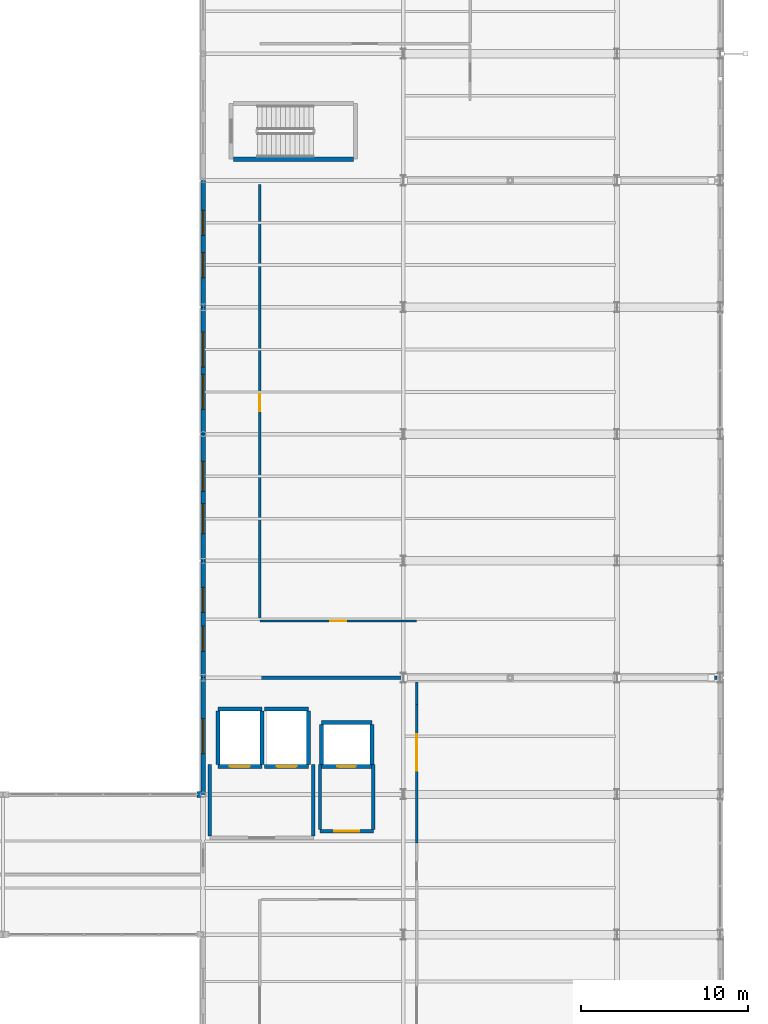
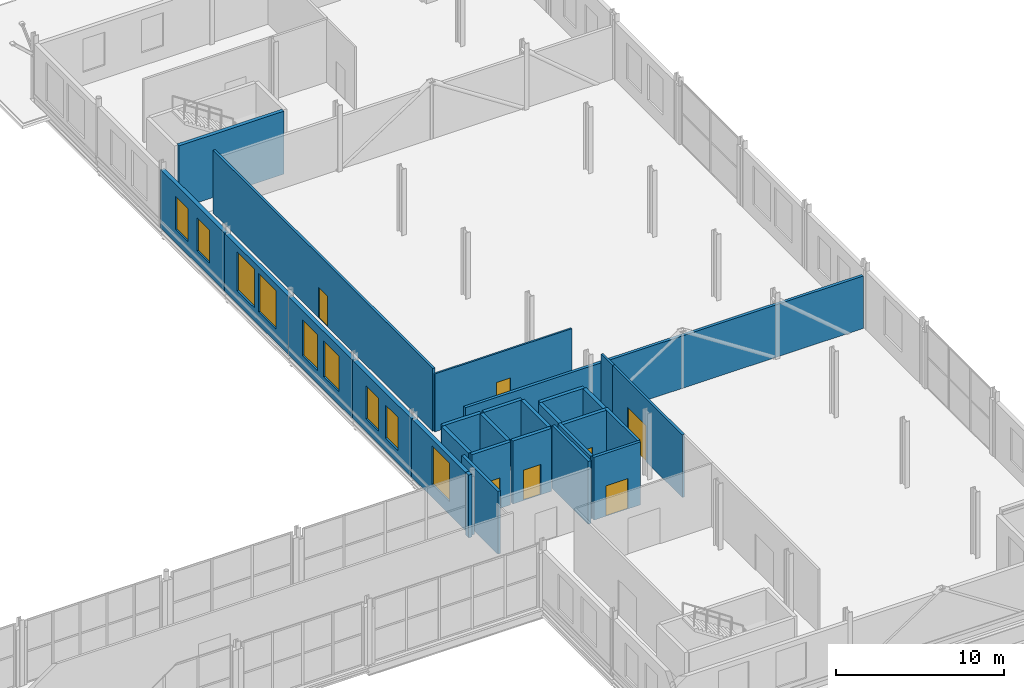
# One storey, part 101 of 120: 28 walls, 9 windows, 7 doors, 16 openings.
"""IFC4 building model written with IfcOpenShell, lengths in metres."""

from ifc_helpers import new_model, si_unit, direction, frame, frame_2d, origin, place, context, subcontext, project, spatial, rectangle, extrude, material, layer, layer_set, type_object, element, fill, save


model = new_model("IFC4")

# Units and contexts
model_context = context("Model", 3, precision=1e-05, world=origin(), true_north=direction((0.0, 1.0)))
body_context = subcontext(model_context, "Body", "Model", "MODEL_VIEW")
ifc_project = project(units=[si_unit("LENGTHUNIT", "METRE"), si_unit("AREAUNIT", "SQUARE_METRE"), si_unit("VOLUMEUNIT", "CUBIC_METRE"), si_unit("PLANEANGLEUNIT", "RADIAN"), si_unit("MASSUNIT", "GRAM", prefix="KILO")], contexts=[model_context])

# Site, building, storey
site_placement = place(None, origin())
site = spatial("IfcSite", under=ifc_project, at=site_placement, CompositionType="ELEMENT")
building_placement = place(site_placement, origin())
building = spatial("IfcBuilding", under=site, at=building_placement, Name="Vekula Escarpment Museum", CompositionType="ELEMENT")
storey_placement = place(building_placement, frame((0.0, 0.0, 13.199951171875)))
storey = spatial("IfcBuildingStorey", under=building, at=storey_placement, Name="L03", CompositionType="ELEMENT", Elevation=13.199951171875)

# Walls
ifc_material_1 = material(Name="Inkisi arkosic sandstone masonry", Category="masonry")
ifc_layer_1 = layer(ifc_material_1, 0.35009765625)
ifc_layer_set_1 = layer_set([ifc_layer_1], Name="Inkisi arkosic sandstone masonry")
wall_type_1 = type_object("IfcWallType", Name="WL-ALM-350", PredefinedType="SOLIDWALL", material=ifc_layer_set_1)
wall_1_placement = place(storey_placement, frame((166.85595703125, 76.39990234375, 0.0), z_axis=(0.0, 0.0, 1.0), x_axis=(-1.0, 0.0, 0.0)))
element("IfcWall", 1, at=wall_1_placement, inside=storey, type_object=wall_type_1, Name="Facade Jamb Pier L03-0621A", PredefinedType="SOLIDWALL", context=body_context, shape_type="SweptSolid", body=[
    extrude(rectangle(XDim=0.216064453125, YDim=0.35009765625, at=frame_2d((0.10791015625, 0.0))), origin(), (0.0, 0.0, 1.0), 4.56005859375),
])
ifc_material_2 = material(Name="Concrete C35/45", Category="concrete")
ifc_layer_2 = layer(ifc_material_2, 0.25)
ifc_layer_set_2 = layer_set([ifc_layer_2], Name="Concrete C35/45")
wall_type_2 = type_object("IfcWallType", Name="WL-CORE-250", PredefinedType="SHEAR", material=ifc_layer_set_2)
wall_2_placement = place(storey_placement, frame((168.803955078125, 114.47509765625, 0.0), z_axis=(0.0, 0.0, 1.0), x_axis=(1.0, 0.0, 0.0)))
element("IfcWall", 2, at=wall_2_placement, inside=storey, type_object=wall_type_2, Name="Stair Core Wall ST-05 L03 S", PredefinedType="SHEAR", context=body_context, shape_type="SweptSolid", body=[
    extrude(rectangle(XDim=7.192138671875, YDim=0.25, at=frame_2d((3.59619140625, 0.0))), origin(), (0.0, 0.0, 1.0), 4.56005859375),
])

# Wall, openings, windows
ifc_material_3 = material(Name="Inkisi arkosic sandstone masonry", Category="masonry")
ifc_layer_3 = layer(ifc_material_3, 0.280029296875)
ifc_layer_set_3 = layer_set([ifc_layer_3], Name="Inkisi arkosic sandstone masonry")
wall_type_3 = type_object("IfcWallType", Name="WL-CUM-280", PredefinedType="SOLIDWALL", material=ifc_layer_set_3)
wall_3_placement = place(storey_placement, frame((167.0, 105.60009765625, 0.0), z_axis=(0.0, 0.0, 1.0), x_axis=(0.0, 1.0, 0.0)))
wall_3 = element("IfcWall", 3, at=wall_3_placement, inside=storey, type_object=wall_type_3, Name="Exterior Wall WL-EXT-L03-0616", PredefinedType="SOLIDWALL", context=body_context, shape_type="SweptSolid", body=[
    extrude(rectangle(XDim=7.599853515625, YDim=0.280029296875, at=frame_2d((3.7998046875, 0.0))), origin(), (0.0, 0.0, 1.0), 4.215087890625),
])
opening_1_placement = place(wall_3_placement, frame((1.783203125, 0.0, 0.949951171875)))
opening_1 = element("IfcOpeningElement", 4, at=opening_1_placement, cuts=wall_3, Name="Opening WN-06", PredefinedType="OPENING", context=body_context, shape_type="SweptSolid", body=[
    extrude(rectangle(XDim=1.5, YDim=2.39990234375, at=frame_2d((0.75, 1.199951171875))), frame((0.0, 0.14990234375, 0.0), z_axis=(0.0, -1.0, 0.0), x_axis=(1.0, 0.0, 0.0)), (0.0, 0.0, 1.0), 0.300048828125),
])
opening_2_placement = place(wall_3_placement, frame((4.316650390625, 0.0, 0.949951171875)))
opening_2 = element("IfcOpeningElement", 5, at=opening_2_placement, cuts=wall_3, Name="Opening WN-06", PredefinedType="OPENING", context=body_context, shape_type="SweptSolid", body=[
    extrude(rectangle(XDim=1.5, YDim=2.39990234375, at=frame_2d((0.75, 1.199951171875))), frame((0.0, 0.14990234375, 0.0), z_axis=(0.0, -1.0, 0.0), x_axis=(1.0, 0.0, 0.0)), (0.0, 0.0, 1.0), 0.300048828125),
])
ifc_material_4 = material(Name="Double solar-control low-E glass", Category="glass")
window_type_1 = type_object("IfcWindowType", Name="WN-CUMBA-15x24", PartitioningType="SINGLE_PANEL", PredefinedType="WINDOW", material=ifc_material_4)
window_1_placement = place(opening_1_placement, origin())
window_1 = element("IfcWindow", 6, at=window_1_placement, inside=storey, type_object=window_type_1, Name="Window L03-0298", OverallHeight=2.39990234375, OverallWidth=1.5, PartitioningType="SINGLE_PANEL", PredefinedType="WINDOW", context=body_context, shape_type="SweptSolid", body=[
    extrude(rectangle(XDim=1.5, YDim=2.39990234375, at=frame_2d((0.75, 1.199951171875))), frame((0.0, 0.030029296875, 0.0), z_axis=(0.0, -1.0, 0.0), x_axis=(1.0, 0.0, 0.0)), (0.0, 0.0, 1.0), 0.06005859375),
])
fill(opening_1, window_1)
window_2_placement = place(opening_2_placement, origin())
window_2 = element("IfcWindow", 7, at=window_2_placement, inside=storey, type_object=window_type_1, Name="Window L03-0299", OverallHeight=2.39990234375, OverallWidth=1.5, PartitioningType="SINGLE_PANEL", PredefinedType="WINDOW", context=body_context, shape_type="SweptSolid", body=[
    extrude(rectangle(XDim=1.5, YDim=2.39990234375, at=frame_2d((0.75, 1.199951171875))), frame((0.0, 0.030029296875, 0.0), z_axis=(0.0, -1.0, 0.0), x_axis=(1.0, 0.0, 0.0)), (0.0, 0.0, 1.0), 0.06005859375),
])
fill(opening_2, window_2)

wall_4_placement = place(storey_placement, frame((167.0, 98.0, 0.0), z_axis=(0.0, 0.0, 1.0), x_axis=(0.0, 1.0, 0.0)))
wall_4 = element("IfcWall", 8, at=wall_4_placement, inside=storey, type_object=wall_type_3, Name="Exterior Wall WL-EXT-L03-0617", PredefinedType="SOLIDWALL", context=body_context, shape_type="SweptSolid", body=[
    extrude(rectangle(XDim=7.60009765625, YDim=0.280029296875, at=frame_2d((3.800048828125, 0.0))), origin(), (0.0, 0.0, 1.0), 4.215087890625),
])
opening_3_placement = place(wall_4_placement, frame((1.4833984375, 0.0, 0.949951171875)))
opening_3 = element("IfcOpeningElement", 9, at=opening_3_placement, cuts=wall_4, Name="Opening WN-08", PredefinedType="OPENING", context=body_context, shape_type="SweptSolid", body=[
    extrude(rectangle(XDim=2.10009765625, YDim=2.800048828125, at=frame_2d((1.050048828125, 1.39990234375))), frame((0.0, 0.14990234375, 0.0), z_axis=(0.0, -1.0, 0.0), x_axis=(1.0, 0.0, 0.0)), (0.0, 0.0, 1.0), 0.300048828125),
])
opening_4_placement = place(wall_4_placement, frame((4.0166015625, 0.0, 0.949951171875)))
opening_4 = element("IfcOpeningElement", 10, at=opening_4_placement, cuts=wall_4, Name="Opening WN-08", PredefinedType="OPENING", context=body_context, shape_type="SweptSolid", body=[
    extrude(rectangle(XDim=2.10009765625, YDim=2.800048828125, at=frame_2d((1.050048828125, 1.39990234375))), frame((0.0, 0.14990234375, 0.0), z_axis=(0.0, -1.0, 0.0), x_axis=(1.0, 0.0, 0.0)), (0.0, 0.0, 1.0), 0.300048828125),
])
ifc_material_5 = material(Name="Double solar-control low-E glass", Category="glass")
window_type_2 = type_object("IfcWindowType", Name="WN-CUMBA-21x28", PartitioningType="DOUBLE_PANEL_VERTICAL", PredefinedType="WINDOW", material=ifc_material_5)
window_3_placement = place(opening_3_placement, origin())
window_3 = element("IfcWindow", 11, at=window_3_placement, inside=storey, type_object=window_type_2, Name="Window L03-0300", OverallHeight=2.800048828125, OverallWidth=2.10009765625, PartitioningType="SINGLE_PANEL", PredefinedType="WINDOW", context=body_context, shape_type="SweptSolid", body=[
    extrude(rectangle(XDim=2.10009765625, YDim=2.800048828125, at=frame_2d((1.050048828125, 1.39990234375))), frame((0.0, 0.030029296875, 0.0), z_axis=(0.0, -1.0, 0.0), x_axis=(1.0, 0.0, 0.0)), (0.0, 0.0, 1.0), 0.06005859375),
])
fill(opening_3, window_3)
window_4_placement = place(opening_4_placement, origin())
window_4 = element("IfcWindow", 12, at=window_4_placement, inside=storey, type_object=window_type_2, Name="Window L03-0301", OverallHeight=2.800048828125, OverallWidth=2.10009765625, PartitioningType="SINGLE_PANEL", PredefinedType="WINDOW", context=body_context, shape_type="SweptSolid", body=[
    extrude(rectangle(XDim=2.10009765625, YDim=2.800048828125, at=frame_2d((1.050048828125, 1.39990234375))), frame((0.0, 0.030029296875, 0.0), z_axis=(0.0, -1.0, 0.0), x_axis=(1.0, 0.0, 0.0)), (0.0, 0.0, 1.0), 0.06005859375),
])
fill(opening_4, window_4)

wall_5_placement = place(storey_placement, frame((167.0, 90.39990234375, 0.0), z_axis=(0.0, 0.0, 1.0), x_axis=(0.0, 1.0, 0.0)))
wall_5 = element("IfcWall", 13, at=wall_5_placement, inside=storey, type_object=wall_type_3, Name="Exterior Wall WL-EXT-L03-0618", PredefinedType="SOLIDWALL", context=body_context, shape_type="SweptSolid", body=[
    extrude(rectangle(XDim=7.60009765625, YDim=0.280029296875, at=frame_2d((3.800048828125, 0.0))), origin(), (0.0, 0.0, 1.0), 4.215087890625),
])
opening_5_placement = place(wall_5_placement, frame((1.63330078125, 0.0, 0.949951171875)))
opening_5 = element("IfcOpeningElement", 14, at=opening_5_placement, cuts=wall_5, Name="Opening WN-07", PredefinedType="OPENING", context=body_context, shape_type="SweptSolid", body=[
    extrude(rectangle(XDim=1.800048828125, YDim=2.60009765625, at=frame_2d((0.89990234375, 1.300048828125))), frame((0.0, 0.14990234375, 0.0), z_axis=(0.0, -1.0, 0.0), x_axis=(1.0, 0.0, 0.0)), (0.0, 0.0, 1.0), 0.300048828125),
])
opening_6_placement = place(wall_5_placement, frame((4.166748046875, 0.0, 0.949951171875)))
opening_6 = element("IfcOpeningElement", 15, at=opening_6_placement, cuts=wall_5, Name="Opening WN-07", PredefinedType="OPENING", context=body_context, shape_type="SweptSolid", body=[
    extrude(rectangle(XDim=1.800048828125, YDim=2.60009765625, at=frame_2d((0.89990234375, 1.300048828125))), frame((0.0, 0.14990234375, 0.0), z_axis=(0.0, -1.0, 0.0), x_axis=(1.0, 0.0, 0.0)), (0.0, 0.0, 1.0), 0.300048828125),
])
ifc_material_6 = material(Name="Double solar-control low-E glass", Category="glass")
window_type_3 = type_object("IfcWindowType", Name="WN-CUMBA-18x26", PartitioningType="DOUBLE_PANEL_VERTICAL", PredefinedType="WINDOW", material=ifc_material_6)
window_5_placement = place(opening_5_placement, origin())
window_5 = element("IfcWindow", 16, at=window_5_placement, inside=storey, type_object=window_type_3, Name="Window L03-0302", OverallHeight=2.60009765625, OverallWidth=1.800048828125, PartitioningType="SINGLE_PANEL", PredefinedType="WINDOW", context=body_context, shape_type="SweptSolid", body=[
    extrude(rectangle(XDim=1.800048828125, YDim=2.60009765625, at=frame_2d((0.89990234375, 1.300048828125))), frame((0.0, 0.030029296875, 0.0), z_axis=(0.0, -1.0, 0.0), x_axis=(1.0, 0.0, 0.0)), (0.0, 0.0, 1.0), 0.06005859375),
])
fill(opening_5, window_5)
window_6_placement = place(opening_6_placement, origin())
window_6 = element("IfcWindow", 17, at=window_6_placement, inside=storey, type_object=window_type_3, Name="Window L03-0303", OverallHeight=2.60009765625, OverallWidth=1.800048828125, PartitioningType="SINGLE_PANEL", PredefinedType="WINDOW", context=body_context, shape_type="SweptSolid", body=[
    extrude(rectangle(XDim=1.800048828125, YDim=2.60009765625, at=frame_2d((0.89990234375, 1.300048828125))), frame((0.0, 0.030029296875, 0.0), z_axis=(0.0, -1.0, 0.0), x_axis=(1.0, 0.0, 0.0)), (0.0, 0.0, 1.0), 0.06005859375),
])
fill(opening_6, window_6)

wall_6_placement = place(storey_placement, frame((167.0, 83.39990234375, 0.0), z_axis=(0.0, 0.0, 1.0), x_axis=(0.0, 1.0, 0.0)))
wall_6 = element("IfcWall", 18, at=wall_6_placement, inside=storey, type_object=wall_type_3, Name="Exterior Wall WL-EXT-L03-0619", PredefinedType="SOLIDWALL", context=body_context, shape_type="SweptSolid", body=[
    extrude(rectangle(XDim=7.0, YDim=0.280029296875, at=frame_2d((3.5, 0.0))), origin(), (0.0, 0.0, 1.0), 4.215087890625),
])
opening_7_placement = place(wall_6_placement, frame((1.583251953125, 0.0, 0.949951171875)))
opening_7 = element("IfcOpeningElement", 19, at=opening_7_placement, cuts=wall_6, Name="Opening WN-06", PredefinedType="OPENING", context=body_context, shape_type="SweptSolid", body=[
    extrude(rectangle(XDim=1.5, YDim=2.39990234375, at=frame_2d((0.75, 1.199951171875))), frame((0.0, 0.14990234375, 0.0), z_axis=(0.0, -1.0, 0.0), x_axis=(1.0, 0.0, 0.0)), (0.0, 0.0, 1.0), 0.300048828125),
])
opening_8_placement = place(wall_6_placement, frame((3.916748046875, 0.0, 0.949951171875)))
opening_8 = element("IfcOpeningElement", 20, at=opening_8_placement, cuts=wall_6, Name="Opening WN-06", PredefinedType="OPENING", context=body_context, shape_type="SweptSolid", body=[
    extrude(rectangle(XDim=1.5, YDim=2.39990234375, at=frame_2d((0.75, 1.199951171875))), frame((0.0, 0.14990234375, 0.0), z_axis=(0.0, -1.0, 0.0), x_axis=(1.0, 0.0, 0.0)), (0.0, 0.0, 1.0), 0.300048828125),
])
window_7_placement = place(opening_7_placement, origin())
window_7 = element("IfcWindow", 21, at=window_7_placement, inside=storey, type_object=window_type_1, Name="Window L03-0304", OverallHeight=2.39990234375, OverallWidth=1.5, PartitioningType="SINGLE_PANEL", PredefinedType="WINDOW", context=body_context, shape_type="SweptSolid", body=[
    extrude(rectangle(XDim=1.5, YDim=2.39990234375, at=frame_2d((0.75, 1.199951171875))), frame((0.0, 0.030029296875, 0.0), z_axis=(0.0, -1.0, 0.0), x_axis=(1.0, 0.0, 0.0)), (0.0, 0.0, 1.0), 0.06005859375),
])
fill(opening_7, window_7)
window_8_placement = place(opening_8_placement, origin())
window_8 = element("IfcWindow", 22, at=window_8_placement, inside=storey, type_object=window_type_1, Name="Window L03-0305", OverallHeight=2.39990234375, OverallWidth=1.5, PartitioningType="SINGLE_PANEL", PredefinedType="WINDOW", context=body_context, shape_type="SweptSolid", body=[
    extrude(rectangle(XDim=1.5, YDim=2.39990234375, at=frame_2d((0.75, 1.199951171875))), frame((0.0, 0.030029296875, 0.0), z_axis=(0.0, -1.0, 0.0), x_axis=(1.0, 0.0, 0.0)), (0.0, 0.0, 1.0), 0.06005859375),
])
fill(opening_8, window_8)

# Wall, opening, window
wall_7_placement = place(storey_placement, frame((167.0, 76.39990234375, 0.0), z_axis=(0.0, 0.0, 1.0), x_axis=(0.0, 1.0, 0.0)))
wall_7 = element("IfcWall", 23, at=wall_7_placement, inside=storey, type_object=wall_type_3, Name="Exterior Wall WL-EXT-L03-0620", PredefinedType="SOLIDWALL", context=body_context, shape_type="SweptSolid", body=[
    extrude(rectangle(XDim=7.0, YDim=0.280029296875, at=frame_2d((3.5, 0.0))), origin(), (0.0, 0.0, 1.0), 4.215087890625),
])
opening_9_placement = place(wall_7_placement, frame((2.449951171875, 0.0, 0.949951171875)))
opening_9 = element("IfcOpeningElement", 24, at=opening_9_placement, cuts=wall_7, Name="Opening WN-08", PredefinedType="OPENING", context=body_context, shape_type="SweptSolid", body=[
    extrude(rectangle(XDim=2.10009765625, YDim=2.800048828125, at=frame_2d((1.050048828125, 1.39990234375))), frame((0.0, 0.14990234375, 0.0), z_axis=(0.0, -1.0, 0.0), x_axis=(1.0, 0.0, 0.0)), (0.0, 0.0, 1.0), 0.300048828125),
])
window_9_placement = place(opening_9_placement, origin())
window_9 = element("IfcWindow", 25, at=window_9_placement, inside=storey, type_object=window_type_2, Name="Window L03-0306", OverallHeight=2.800048828125, OverallWidth=2.10009765625, PartitioningType="SINGLE_PANEL", PredefinedType="WINDOW", context=body_context, shape_type="SweptSolid", body=[
    extrude(rectangle(XDim=2.10009765625, YDim=2.800048828125, at=frame_2d((1.050048828125, 1.39990234375))), frame((0.0, 0.030029296875, 0.0), z_axis=(0.0, -1.0, 0.0), x_axis=(1.0, 0.0, 0.0)), (0.0, 0.0, 1.0), 0.06005859375),
])
fill(opening_9, window_9)

# Walls
ifc_material_7 = material(Name="Concrete C35/45", Category="concrete")
ifc_layer_4 = layer(ifc_material_7, 0.199951171875)
ifc_layer_set_4 = layer_set([ifc_layer_4], Name="Concrete C35/45")
wall_type_4 = type_object("IfcWallType", Name="WL-FFL-200", PredefinedType="PARTITIONING", material=ifc_layer_set_4)
for number, where, z_axis, x_axis, name in (
    (26, (167.39990234375, 73.904052734375, 0.0), (0.0, 0.0, 1.0), (0.0, 1.0, 0.0), "Lift Lobby Wall LF-01 L03 W"),
    (27, (173.60009765625, 73.904052734375, 0.0), (0.0, 0.0, 1.0), (0.0, 1.0, 0.0), "Lift Lobby Wall LF-01 L03 E"),
):
    element("IfcWall", number, at=place(storey_placement, frame(where, z_axis=z_axis, x_axis=x_axis)), inside=storey, type_object=wall_type_4, Name=name, PredefinedType="PARTITIONING", context=body_context, shape_type="SweptSolid", body=[
        extrude(rectangle(XDim=4.2958984375, YDim=0.199951171875, at=frame_2d((2.14794921875, 0.0))), origin(), (0.0, 0.0, 1.0), 4.56005859375),
    ])

# Wall, opening, door
wall_8_placement = place(storey_placement, frame((174.0, 74.199951171875, 0.0), z_axis=(0.0, 0.0, 1.0), x_axis=(1.0, 0.0, 0.0)))
wall_8 = element("IfcWall", 28, at=wall_8_placement, inside=storey, type_object=wall_type_4, Name="Lift Lobby Wall LP-03 L03 S", PredefinedType="PARTITIONING", context=body_context, shape_type="SweptSolid", body=[
    extrude(rectangle(XDim=3.199951171875, YDim=0.199951171875, at=frame_2d((1.60009765625, 0.0))), origin(), (0.0, 0.0, 1.0), 4.56005859375),
])
opening_10_placement = place(wall_8_placement, frame((0.85009765625, 0.0, 0.0)))
opening_10 = element("IfcOpeningElement", 29, at=opening_10_placement, cuts=wall_8, Name="Opening DR-FD60L", PredefinedType="OPENING", context=body_context, shape_type="SweptSolid", body=[
    extrude(rectangle(XDim=1.5, YDim=2.199951171875, at=frame_2d((0.75, 1.10009765625))), frame((0.0, 0.10986328125, 0.0), z_axis=(0.0, -1.0, 0.0), x_axis=(1.0, 0.0, 0.0)), (0.0, 0.0, 1.0), 0.219970703125),
])
ifc_material_8 = material(Name="Fire-rated glazed lobby door", Category="steel")
door_type_1 = type_object("IfcDoorType", Name="DR-FFLOB-1500x2200", OperationType="NOTDEFINED", PredefinedType="DOOR", material=ifc_material_8)
door_1_placement = place(opening_10_placement, origin())
door_1 = element("IfcDoor", 30, at=door_1_placement, inside=storey, type_object=door_type_1, Name="Lift Lobby Fire Door LP-03 L03", OperationType="SINGLE_SWING_RIGHT", OverallHeight=2.199951171875, OverallWidth=1.5, PredefinedType="DOOR", context=body_context, shape_type="SweptSolid", body=[
    extrude(rectangle(XDim=1.5, YDim=2.199951171875, at=frame_2d((0.75, 1.10009765625))), frame((0.0, 0.02490234375, 0.0), z_axis=(0.0, -1.0, 0.0), x_axis=(1.0, 0.0, 0.0)), (0.0, 0.0, 1.0), 0.050048828125),
])
fill(opening_10, door_1)

# Walls
for number, where, z_axis, x_axis, name in (
    (31, (174.0, 74.303955078125, 0.0), (0.0, 0.0, 1.0), (0.0, 1.0, 0.0), "Lift Lobby Wall LP-03 L03 W"),
    (32, (177.199951171875, 74.303955078125, 0.0), (0.0, 0.0, 1.0), (0.0, 1.0, 0.0), "Lift Lobby Wall LP-03 L03 E"),
):
    element("IfcWall", number, at=place(storey_placement, frame(where, z_axis=z_axis, x_axis=x_axis)), inside=storey, type_object=wall_type_4, Name=name, PredefinedType="PARTITIONING", context=body_context, shape_type="SweptSolid", body=[
        extrude(rectangle(XDim=3.89599609375, YDim=0.199951171875, at=frame_2d((1.947998046875, 0.0))), origin(), (0.0, 0.0, 1.0), 4.56005859375),
    ])
wall_9_placement = place(storey_placement, frame((170.5, 83.39990234375, 0.0), z_axis=(0.0, 0.0, 1.0), x_axis=(1.0, 0.0, 0.0)))
element("IfcWall", 33, at=wall_9_placement, inside=storey, type_object=wall_type_4, Name="Transfer Truss Partition Wall 834-1", PredefinedType="PARTITIONING", context=body_context, shape_type="SweptSolid", body=[
    extrude(rectangle(XDim=27.300048828125, YDim=0.199951171875, at=frame_2d((13.64990234375, 0.0))), origin(), (0.0, 0.0, 1.0), 3.804931640625),
])

# Wall, opening, door
ifc_material_9 = material(Name="Lightweight studio partition", Category="gypsum")
ifc_layer_5 = layer(ifc_material_9, 0.1201171875)
ifc_layer_set_5 = layer_set([ifc_layer_5], Name="Lightweight studio partition")
wall_type_5 = type_object("IfcWallType", Name="WL-PART-120", PredefinedType="PARTITIONING", material=ifc_layer_set_5)
wall_10_placement = place(storey_placement, frame((170.39990234375, 86.800048828125, 0.0), z_axis=(0.0, 0.0, 1.0), x_axis=(1.0, 0.0, 0.0)))
wall_10 = element("IfcWall", 34, at=wall_10_placement, inside=storey, type_object=wall_type_5, Name="Interior Partition WL-INT-L03-0051", PredefinedType="PARTITIONING", context=body_context, shape_type="SweptSolid", body=[
    extrude(rectangle(XDim=9.400146484375, YDim=0.1201171875, at=frame_2d((4.7001953125, 0.0))), origin(), (0.0, 0.0, 1.0), 4.205078125),
])
opening_11_placement = place(wall_10_placement, frame((4.22509765625, 0.0, 0.0)))
opening_11 = element("IfcOpeningElement", 35, at=opening_11_placement, cuts=wall_10, Name="Opening DR-OF09", PredefinedType="OPENING", context=body_context, shape_type="SweptSolid", body=[
    extrude(rectangle(XDim=0.949951171875, YDim=2.10009765625, at=frame_2d((0.47509765625, 1.050048828125))), frame((0.0, 0.070068359375, 0.0), z_axis=(0.0, -1.0, 0.0), x_axis=(1.0, 0.0, 0.0)), (0.0, 0.0, 1.0), 0.14013671875),
])
ifc_material_10 = material(Name="Solid core timber office door", Category="wood")
door_type_2 = type_object("IfcDoorType", Name="DR-OFF-0950x2100", OperationType="NOTDEFINED", PredefinedType="DOOR", material=ifc_material_10)
door_2_placement = place(opening_11_placement, origin())
door_2 = element("IfcDoor", 36, at=door_2_placement, inside=storey, type_object=door_type_2, Name="Interior Door L03-047", OperationType="SINGLE_SWING_RIGHT", OverallHeight=2.10009765625, OverallWidth=0.949951171875, PredefinedType="DOOR", context=body_context, shape_type="SweptSolid", body=[
    extrude(rectangle(XDim=0.949951171875, YDim=2.10009765625, at=frame_2d((0.47509765625, 1.050048828125))), frame((0.0, 0.02490234375, 0.0), z_axis=(0.0, -1.0, 0.0), x_axis=(1.0, 0.0, 0.0)), (0.0, 0.0, 1.0), 0.050048828125),
])
fill(opening_11, door_2)

# Wall
ifc_material_11 = material(Name="Gypsum board dry-lined partition", Category="gypsum")
ifc_layer_6 = layer(ifc_material_11, 0.14990234375)
ifc_layer_set_6 = layer_set([ifc_layer_6], Name="Gypsum board dry-lined partition")
wall_type_6 = type_object("IfcWallType", Name="WL-PART-150", PredefinedType="PARTITIONING", material=ifc_layer_set_6)
wall_11_placement = place(storey_placement, frame((179.800048828125, 81.800048828125, 0.0), z_axis=(0.0, 0.0, 1.0), x_axis=(0.0, 1.0, 0.0)))
element("IfcWall", 37, at=wall_11_placement, inside=storey, type_object=wall_type_6, Name="Interior Partition WL-INT-L03-0050", PredefinedType="PARTITIONING", context=body_context, shape_type="SweptSolid", body=[
    extrude(rectangle(XDim=1.349853515625, YDim=0.14990234375, at=frame_2d((0.6748046875, 0.0))), origin(), (0.0, 0.0, 1.0), 4.56005859375),
])

# Wall, opening, door
ifc_material_12 = material(Name="Gypsum board gallery partition", Category="gypsum")
ifc_layer_7 = layer(ifc_material_12, 0.159912109375)
ifc_layer_set_7 = layer_set([ifc_layer_7], Name="Gypsum board gallery partition")
wall_type_7 = type_object("IfcWallType", Name="WL-PART-160", PredefinedType="PARTITIONING", material=ifc_layer_set_7)
wall_12_placement = place(storey_placement, frame((179.800048828125, 73.5, 0.0), z_axis=(0.0, 0.0, 1.0), x_axis=(0.0, 1.0, 0.0)))
wall_12 = element("IfcWall", 38, at=wall_12_placement, inside=storey, type_object=wall_type_7, Name="Interior Partition WL-INT-L03-0049", PredefinedType="PARTITIONING", context=body_context, shape_type="SweptSolid", body=[
    extrude(rectangle(XDim=8.300048828125, YDim=0.159912109375, at=frame_2d((4.14990234375, 0.0))), origin(), (0.0, 0.0, 1.0), 4.56005859375),
])
opening_12_placement = place(wall_12_placement, frame((4.31005859375, 0.0, 0.0)))
opening_12 = element("IfcOpeningElement", 39, at=opening_12_placement, cuts=wall_12, Name="Opening DR-GL22", PredefinedType="OPENING", context=body_context, shape_type="SweptSolid", body=[
    extrude(rectangle(XDim=2.199951171875, YDim=2.60009765625, at=frame_2d((1.10009765625, 1.300048828125))), frame((0.0, 0.08984375, 0.0), z_axis=(0.0, -1.0, 0.0), x_axis=(1.0, 0.0, 0.0)), (0.0, 0.0, 1.0), 0.179931640625),
])
ifc_material_13 = material(Name="Double acoustic timber gallery door", Category="wood")
door_type_3 = type_object("IfcDoorType", Name="DR-GAL-2200x2600", OperationType="NOTDEFINED", PredefinedType="DOOR", material=ifc_material_13)
door_3_placement = place(opening_12_placement, origin())
door_3 = element("IfcDoor", 40, at=door_3_placement, inside=storey, type_object=door_type_3, Name="Interior Door L03-046", OperationType="SINGLE_SWING_LEFT", OverallHeight=2.60009765625, OverallWidth=2.199951171875, PredefinedType="DOOR", context=body_context, shape_type="SweptSolid", body=[
    extrude(rectangle(XDim=2.199951171875, YDim=2.60009765625, at=frame_2d((1.10009765625, 1.300048828125))), frame((0.0, 0.02490234375, 0.0), z_axis=(0.0, -1.0, 0.0), x_axis=(1.0, 0.0, 0.0)), (0.0, 0.0, 1.0), 0.050048828125),
])
fill(opening_12, door_3)

wall_13_placement = place(storey_placement, frame((170.39990234375, 86.864013671875, 0.0), z_axis=(0.0, 0.0, 1.0), x_axis=(0.0, 1.0, 0.0)))
wall_13 = element("IfcWall", 41, at=wall_13_placement, inside=storey, type_object=wall_type_7, Name="Interior Partition WL-INT-L03-0052", PredefinedType="PARTITIONING", context=body_context, shape_type="SweptSolid", body=[
    extrude(rectangle(XDim=26.0859375, YDim=0.159912109375, at=frame_2d((13.04296875, 0.0))), origin(), (0.0, 0.0, 1.0), 4.56005859375),
])
opening_13_placement = place(wall_13_placement, frame((12.51806640625, 0.0, 0.0)))
opening_13 = element("IfcOpeningElement", 42, at=opening_13_placement, cuts=wall_13, Name="Opening DR-CR10", PredefinedType="OPENING", context=body_context, shape_type="SweptSolid", body=[
    extrude(rectangle(XDim=1.050048828125, YDim=2.199951171875, at=frame_2d((0.52490234375, 1.10009765625))), frame((0.0, 0.08984375, 0.0), z_axis=(0.0, -1.0, 0.0), x_axis=(1.0, 0.0, 0.0)), (0.0, 0.0, 1.0), 0.179931640625),
])
ifc_material_14 = material(Name="Solid hardwood curatorial door", Category="wood")
door_type_4 = type_object("IfcDoorType", Name="DR-CUR-1050x2200", OperationType="NOTDEFINED", PredefinedType="DOOR", material=ifc_material_14)
door_4_placement = place(opening_13_placement, origin())
door_4 = element("IfcDoor", 43, at=door_4_placement, inside=storey, type_object=door_type_4, Name="Interior Door L03-048", OperationType="SINGLE_SWING_LEFT", OverallHeight=2.199951171875, OverallWidth=1.050048828125, PredefinedType="DOOR", context=body_context, shape_type="SweptSolid", body=[
    extrude(rectangle(XDim=1.050048828125, YDim=2.199951171875, at=frame_2d((0.52490234375, 1.10009765625))), frame((0.0, 0.02490234375, 0.0), z_axis=(0.0, -1.0, 0.0), x_axis=(1.0, 0.0, 0.0)), (0.0, 0.0, 1.0), 0.050048828125),
])
fill(opening_13, door_4)

ifc_material_15 = material(Name="Concrete C35/45", Category="concrete")
ifc_layer_8 = layer(ifc_material_15, 0.239990234375)
ifc_layer_set_8 = layer_set([ifc_layer_8], Name="Concrete C35/45")
wall_type_8 = type_object("IfcWallType", Name="WL-SHF-240", PredefinedType="SHEAR", material=ifc_layer_set_8)
wall_14_placement = place(storey_placement, frame((167.8798828125, 78.080078125, 0.0), z_axis=(0.0, 0.0, 1.0), x_axis=(1.0, 0.0, 0.0)))
wall_14 = element("IfcWall", 44, at=wall_14_placement, inside=storey, type_object=wall_type_8, Name="Lift Shaft Wall LF-01 L03 S", PredefinedType="SHEAR", context=body_context, shape_type="SweptSolid", body=[
    extrude(rectangle(XDim=2.64013671875, YDim=0.239990234375, at=frame_2d((1.320068359375, 0.0))), origin(), (0.0, 0.0, 1.0), 4.56005859375),
])
opening_14_placement = place(wall_14_placement, frame((0.719970703125, 0.0, 0.0)))
opening_14 = element("IfcOpeningElement", 45, at=opening_14_placement, cuts=wall_14, Name="Opening LD-FF", PredefinedType="OPENING", context=body_context, shape_type="SweptSolid", body=[
    extrude(rectangle(XDim=1.199951171875, YDim=2.199951171875, at=frame_2d((0.60009765625, 1.10009765625))), frame((0.0, 0.1298828125, 0.0), z_axis=(0.0, -1.0, 0.0), x_axis=(1.0, 0.0, 0.0)), (0.0, 0.0, 1.0), 0.260009765625),
])
ifc_material_16 = material(Name="Fire-rated stainless steel sliding lift landing door", Category="steel")
door_type_5 = type_object("IfcDoorType", Name="DR-LD-FF-1200", OperationType="DOUBLE_DOOR_SLIDING", PredefinedType="DOOR", material=ifc_material_16)
door_5_placement = place(opening_14_placement, origin())
door_5 = element("IfcDoor", 46, at=door_5_placement, inside=storey, type_object=door_type_5, Name="Sliding Lift Landing Door LF-01 L03", OperationType="DOUBLE_DOOR_SLIDING", OverallHeight=2.199951171875, OverallWidth=1.199951171875, PredefinedType="DOOR", context=body_context, shape_type="SweptSolid", body=[
    extrude(rectangle(XDim=1.199951171875, YDim=2.199951171875, at=frame_2d((0.60009765625, 1.10009765625))), frame((0.0, 0.02490234375, 0.0), z_axis=(0.0, -1.0, 0.0), x_axis=(1.0, 0.0, 0.0)), (0.0, 0.0, 1.0), 0.050048828125),
])
fill(opening_14, door_5)

# Walls
wall_15_placement = place(storey_placement, frame((167.8798828125, 81.52001953125, 0.0), z_axis=(0.0, 0.0, 1.0), x_axis=(1.0, 0.0, 0.0)))
element("IfcWall", 47, at=wall_15_placement, inside=storey, type_object=wall_type_8, Name="Lift Shaft Wall LF-01 L03 N", PredefinedType="SHEAR", context=body_context, shape_type="SweptSolid", body=[
    extrude(rectangle(XDim=2.64013671875, YDim=0.239990234375, at=frame_2d((1.320068359375, 0.0))), origin(), (0.0, 0.0, 1.0), 4.56005859375),
])
for number, where, z_axis, x_axis, name in (
    (48, (167.8798828125, 78.2041015625, 0.0), (0.0, 0.0, 1.0), (0.0, 1.0, 0.0), "Lift Shaft Wall LF-01 L03 W"),
    (49, (170.52001953125, 78.2041015625, 0.0), (0.0, 0.0, 1.0), (0.0, 1.0, 0.0), "Lift Shaft Wall LF-01 L03 E"),
):
    element("IfcWall", number, at=place(storey_placement, frame(where, z_axis=z_axis, x_axis=x_axis)), inside=storey, type_object=wall_type_8, Name=name, PredefinedType="SHEAR", context=body_context, shape_type="SweptSolid", body=[
        extrude(rectangle(XDim=3.19189453125, YDim=0.239990234375, at=frame_2d((1.595947265625, 0.0))), origin(), (0.0, 0.0, 1.0), 4.56005859375),
    ])

# Wall, opening, door
wall_16_placement = place(storey_placement, frame((170.679931640625, 78.080078125, 0.0), z_axis=(0.0, 0.0, 1.0), x_axis=(1.0, 0.0, 0.0)))
wall_16 = element("IfcWall", 50, at=wall_16_placement, inside=storey, type_object=wall_type_8, Name="Lift Shaft Wall LF-02 L03 S", PredefinedType="SHEAR", context=body_context, shape_type="SweptSolid", body=[
    extrude(rectangle(XDim=2.64013671875, YDim=0.239990234375, at=frame_2d((1.320068359375, 0.0))), origin(), (0.0, 0.0, 1.0), 4.56005859375),
])
opening_15_placement = place(wall_16_placement, frame((0.719970703125, 0.0, 0.0)))
opening_15 = element("IfcOpeningElement", 51, at=opening_15_placement, cuts=wall_16, Name="Opening LD-FF", PredefinedType="OPENING", context=body_context, shape_type="SweptSolid", body=[
    extrude(rectangle(XDim=1.199951171875, YDim=2.199951171875, at=frame_2d((0.60009765625, 1.10009765625))), frame((0.0, 0.1298828125, 0.0), z_axis=(0.0, -1.0, 0.0), x_axis=(1.0, 0.0, 0.0)), (0.0, 0.0, 1.0), 0.260009765625),
])
door_6_placement = place(opening_15_placement, origin())
door_6 = element("IfcDoor", 52, at=door_6_placement, inside=storey, type_object=door_type_5, Name="Sliding Lift Landing Door LF-02 L03", OperationType="DOUBLE_DOOR_SLIDING", OverallHeight=2.199951171875, OverallWidth=1.199951171875, PredefinedType="DOOR", context=body_context, shape_type="SweptSolid", body=[
    extrude(rectangle(XDim=1.199951171875, YDim=2.199951171875, at=frame_2d((0.60009765625, 1.10009765625))), frame((0.0, 0.02490234375, 0.0), z_axis=(0.0, -1.0, 0.0), x_axis=(1.0, 0.0, 0.0)), (0.0, 0.0, 1.0), 0.050048828125),
])
fill(opening_15, door_6)

# Walls
wall_17_placement = place(storey_placement, frame((170.679931640625, 81.52001953125, 0.0), z_axis=(0.0, 0.0, 1.0), x_axis=(1.0, 0.0, 0.0)))
element("IfcWall", 53, at=wall_17_placement, inside=storey, type_object=wall_type_8, Name="Lift Shaft Wall LF-02 L03 N", PredefinedType="SHEAR", context=body_context, shape_type="SweptSolid", body=[
    extrude(rectangle(XDim=2.64013671875, YDim=0.239990234375, at=frame_2d((1.320068359375, 0.0))), origin(), (0.0, 0.0, 1.0), 4.56005859375),
])
wall_18_placement = place(storey_placement, frame((173.320068359375, 78.2041015625, 0.0), z_axis=(0.0, 0.0, 1.0), x_axis=(0.0, 1.0, 0.0)))
element("IfcWall", 54, at=wall_18_placement, inside=storey, type_object=wall_type_8, Name="Lift Shaft Wall LF-02 L03 E", PredefinedType="SHEAR", context=body_context, shape_type="SweptSolid", body=[
    extrude(rectangle(XDim=3.19189453125, YDim=0.239990234375, at=frame_2d((1.595947265625, 0.0))), origin(), (0.0, 0.0, 1.0), 4.56005859375),
])

# Wall, opening, door
wall_19_placement = place(storey_placement, frame((174.080078125, 78.080078125, 0.0), z_axis=(0.0, 0.0, 1.0), x_axis=(1.0, 0.0, 0.0)))
wall_19 = element("IfcWall", 55, at=wall_19_placement, inside=storey, type_object=wall_type_8, Name="Lift Shaft Wall LP-03 L03 S", PredefinedType="SHEAR", context=body_context, shape_type="SweptSolid", body=[
    extrude(rectangle(XDim=3.0400390625, YDim=0.239990234375, at=frame_2d((1.52001953125, 0.0))), origin(), (0.0, 0.0, 1.0), 4.56005859375),
])
opening_16_placement = place(wall_19_placement, frame((0.969970703125, 0.0, 0.0)))
opening_16 = element("IfcOpeningElement", 56, at=opening_16_placement, cuts=wall_19, Name="Opening LD-PAX", PredefinedType="OPENING", context=body_context, shape_type="SweptSolid", body=[
    extrude(rectangle(XDim=1.10009765625, YDim=2.199951171875, at=frame_2d((0.550048828125, 1.10009765625))), frame((0.0, 0.1298828125, 0.0), z_axis=(0.0, -1.0, 0.0), x_axis=(1.0, 0.0, 0.0)), (0.0, 0.0, 1.0), 0.260009765625),
])
ifc_material_17 = material(Name="Brushed stainless steel sliding lift landing door", Category="steel")
door_type_6 = type_object("IfcDoorType", Name="DR-LD-PAX-1100", OperationType="DOUBLE_DOOR_SLIDING", PredefinedType="DOOR", material=ifc_material_17)
door_7_placement = place(opening_16_placement, origin())
door_7 = element("IfcDoor", 57, at=door_7_placement, inside=storey, type_object=door_type_6, Name="Sliding Lift Landing Door LP-03 L03", OperationType="DOUBLE_DOOR_SLIDING", OverallHeight=2.199951171875, OverallWidth=1.10009765625, PredefinedType="DOOR", context=body_context, shape_type="SweptSolid", body=[
    extrude(rectangle(XDim=1.10009765625, YDim=2.199951171875, at=frame_2d((0.550048828125, 1.10009765625))), frame((0.0, 0.02490234375, 0.0), z_axis=(0.0, -1.0, 0.0), x_axis=(1.0, 0.0, 0.0)), (0.0, 0.0, 1.0), 0.050048828125),
])
fill(opening_16, door_7)

# Walls
wall_20_placement = place(storey_placement, frame((174.080078125, 80.719970703125, 0.0), z_axis=(0.0, 0.0, 1.0), x_axis=(1.0, 0.0, 0.0)))
element("IfcWall", 58, at=wall_20_placement, inside=storey, type_object=wall_type_8, Name="Lift Shaft Wall LP-03 L03 N", PredefinedType="SHEAR", context=body_context, shape_type="SweptSolid", body=[
    extrude(rectangle(XDim=3.0400390625, YDim=0.239990234375, at=frame_2d((1.52001953125, 0.0))), origin(), (0.0, 0.0, 1.0), 4.56005859375),
])
for number, where, z_axis, x_axis, name in (
    (59, (174.080078125, 78.2041015625, 0.0), (0.0, 0.0, 1.0), (0.0, 1.0, 0.0), "Lift Shaft Wall LP-03 L03 W"),
    (60, (177.1201171875, 78.2041015625, 0.0), (0.0, 0.0, 1.0), (0.0, 1.0, 0.0), "Lift Shaft Wall LP-03 L03 E"),
):
    element("IfcWall", number, at=place(storey_placement, frame(where, z_axis=z_axis, x_axis=x_axis)), inside=storey, type_object=wall_type_8, Name=name, PredefinedType="SHEAR", context=body_context, shape_type="SweptSolid", body=[
        extrude(rectangle(XDim=2.391845703125, YDim=0.239990234375, at=frame_2d((1.19580078125, 0.0))), origin(), (0.0, 0.0, 1.0), 4.56005859375),
    ])

save(model, "model.ifc")
